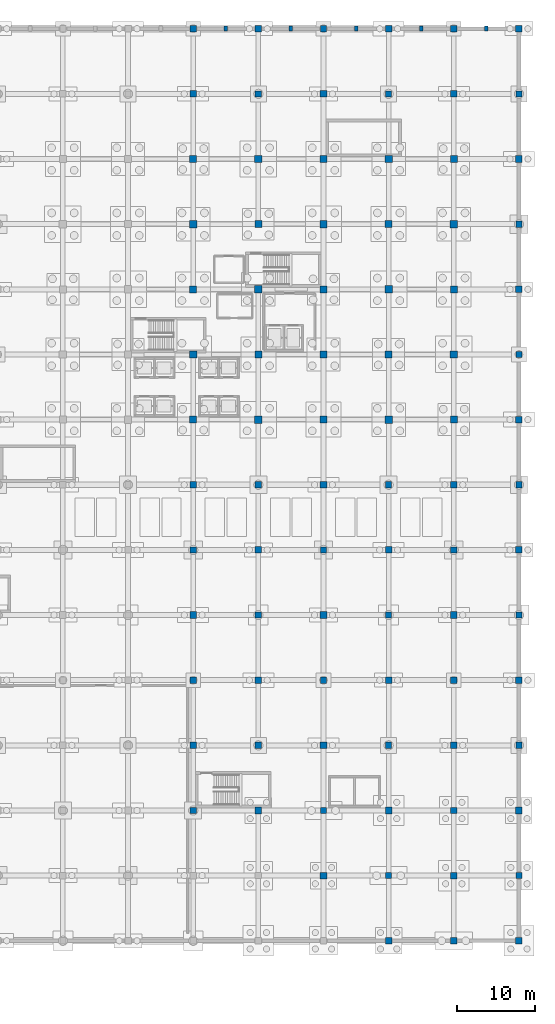
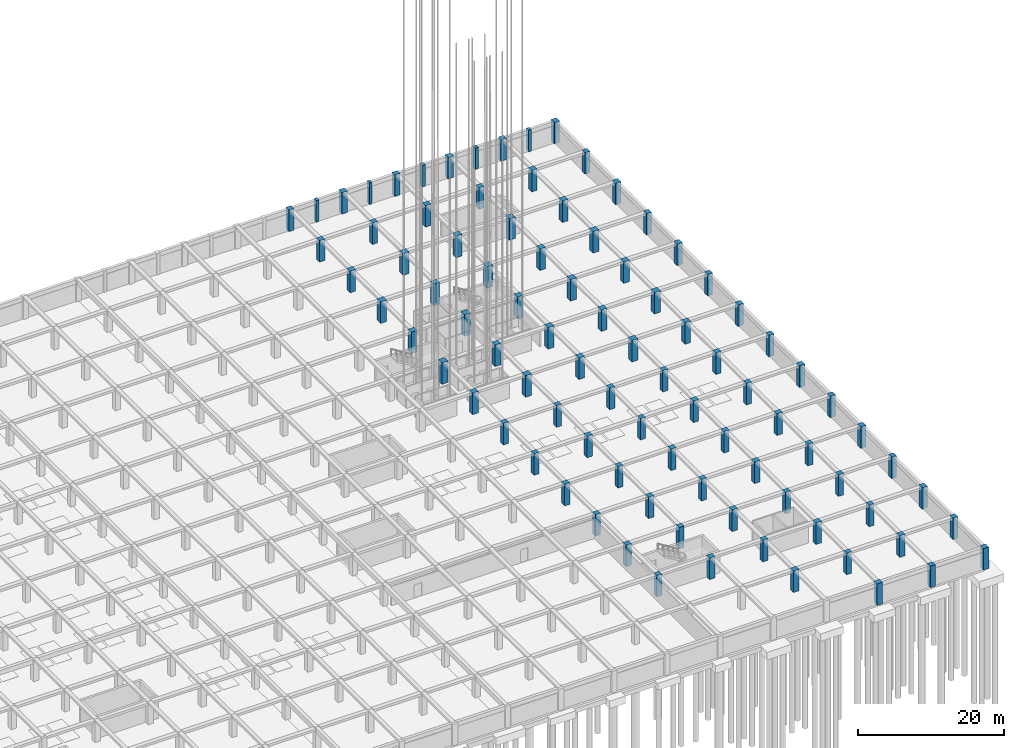
# One storey, part 10 of 47: 90 columns.
"""IFC4 building model written with IfcOpenShell, lengths in metres."""

from ifc_helpers import new_model, si_unit, direction, frame, origin, origin_2d, place, context, subcontext, project, spatial, rectangle, extrude, material, material_profile, profile_set, type_object, element, save


model = new_model("IFC4")

# Units and contexts
model_context = context("Model", 3, precision=1e-05, world=origin(), true_north=direction((0.0, 1.0)))
body_context = subcontext(model_context, "Body", "Model", "MODEL_VIEW")
ifc_project = project(units=[si_unit("LENGTHUNIT", "METRE"), si_unit("AREAUNIT", "SQUARE_METRE"), si_unit("VOLUMEUNIT", "CUBIC_METRE"), si_unit("PLANEANGLEUNIT", "RADIAN"), si_unit("MASSUNIT", "GRAM", prefix="KILO")], contexts=[model_context])

# Site, building, storey
site_placement = place(None, origin())
site = spatial("IfcSite", under=ifc_project, at=site_placement, CompositionType="ELEMENT")
building_placement = place(site_placement, origin())
building = spatial("IfcBuilding", under=site, at=building_placement, Name="Almacenes y Pasaje Nevantli", CompositionType="ELEMENT")
storey_placement = place(building_placement, frame((0.0, 0.0, -8.10009765625)))
storey = spatial("IfcBuildingStorey", under=building, at=storey_placement, Name="B02", CompositionType="ELEMENT", Elevation=-8.10009765625)

# Columns
ifc_material_1 = material(Name="Concrete C45/55", Category="concrete")
ifc_material_profile_1 = material_profile(ifc_material_1, rectangle(XDim=0.800048828125, YDim=0.800048828125, at=origin_2d()), Name="RC-COL-800x800")
ifc_profile_set_1 = profile_set([ifc_material_profile_1], Name="Concrete C45/55")
column_type_1 = type_object("IfcColumnType", Name="COL-RC-800", PredefinedType="COLUMN", material=ifc_profile_set_1)
for number, where, z_axis, x_axis, name in (
    (1, (126.0, 16.800048828125, 0.0), (0.0, 0.0, 1.0), (1.0, 0.0, 0.0), "B02 Reinforced Concrete Column CL-04 #220"),
    (2, (126.0, 33.60009765625, 0.0), (0.0, 0.0, 1.0), (1.0, 0.0, 0.0), "B02 Reinforced Concrete Column CL-04 #222"),
    (3, (126.0, 50.39990234375, 0.0), (0.0, 0.0, 1.0), (1.0, 0.0, 0.0), "B02 Reinforced Concrete Column CL-04 #224"),
    (4, (126.0, 117.60009765625, 0.0), (0.0, 0.0, 1.0), (1.0, 0.0, 0.0), "B02 Reinforced Concrete Column CL-04 #232"),
    (5, (134.39990234375, 25.199951171875, 0.0), (0.0, 0.0, 1.0), (1.0, 0.0, 0.0), "B02 Reinforced Concrete Column CL-04 #236"),
    (6, (134.39990234375, 42.0, 0.0), (0.0, 0.0, 1.0), (1.0, 0.0, 0.0), "B02 Reinforced Concrete Column CL-04 #238"),
    (7, (134.39990234375, 58.800048828125, 0.0), (0.0, 0.0, 1.0), (1.0, 0.0, 0.0), "B02 Reinforced Concrete Column CL-04 #240"),
    (8, (134.39990234375, 109.199951171875, 0.0), (0.0, 0.0, 1.0), (1.0, 0.0, 0.0), "B02 Reinforced Concrete Column CL-04 #246"),
    (9, (142.800048828125, 16.800048828125, 0.0), (0.0, 0.0, 1.0), (1.0, 0.0, 0.0), "B02 Reinforced Concrete Column CL-04 #250"),
    (10, (142.800048828125, 33.60009765625, 0.0), (0.0, 0.0, 1.0), (1.0, 0.0, 0.0), "B02 Reinforced Concrete Column CL-04 #252"),
    (11, (142.800048828125, 50.39990234375, 0.0), (0.0, 0.0, 1.0), (1.0, 0.0, 0.0), "B02 Reinforced Concrete Column CL-04 #254"),
    (12, (142.800048828125, 117.60009765625, 0.0), (0.0, 0.0, 1.0), (1.0, 0.0, 0.0), "B02 Reinforced Concrete Column CL-04 #262"),
    (13, (151.199951171875, 8.39990234375, 0.0), (0.0, 0.0, 1.0), (1.0, 0.0, 0.0), "B02 Reinforced Concrete Column CL-04 #264"),
    (14, (151.199951171875, 25.199951171875, 0.0), (0.0, 0.0, 1.0), (1.0, 0.0, 0.0), "B02 Reinforced Concrete Column CL-04 #266"),
    (15, (151.199951171875, 42.0, 0.0), (0.0, 0.0, 1.0), (1.0, 0.0, 0.0), "B02 Reinforced Concrete Column CL-04 #268"),
    (16, (151.199951171875, 58.800048828125, 0.0), (0.0, 0.0, 1.0), (1.0, 0.0, 0.0), "B02 Reinforced Concrete Column CL-04 #270"),
    (17, (151.199951171875, 109.199951171875, 0.0), (0.0, 0.0, 1.0), (1.0, 0.0, 0.0), "B02 Reinforced Concrete Column CL-04 #276"),
    (18, (159.60009765625, 0.0, 0.0), (0.0, 0.0, 1.0), (1.0, 0.0, 0.0), "B02 Reinforced Concrete Column CL-04 #278"),
    (19, (159.60009765625, 16.800048828125, 0.0), (0.0, 0.0, 1.0), (1.0, 0.0, 0.0), "B02 Reinforced Concrete Column CL-04 #280"),
    (20, (159.60009765625, 33.60009765625, 0.0), (0.0, 0.0, 1.0), (1.0, 0.0, 0.0), "B02 Reinforced Concrete Column CL-04 #282"),
    (21, (159.60009765625, 50.39990234375, 0.0), (0.0, 0.0, 1.0), (1.0, 0.0, 0.0), "B02 Reinforced Concrete Column CL-04 #284"),
    (22, (159.60009765625, 117.60009765625, 0.0), (0.0, 0.0, 1.0), (1.0, 0.0, 0.0), "B02 Reinforced Concrete Column CL-04 #292"),
    (23, (168.0, 8.39990234375, 0.0), (0.0, 0.0, 1.0), (1.0, 0.0, 0.0), "B02 Reinforced Concrete Column CL-04 #294"),
    (24, (168.0, 25.199951171875, 0.0), (0.0, 0.0, 1.0), (1.0, 0.0, 0.0), "B02 Reinforced Concrete Column CL-04 #296"),
    (25, (168.0, 42.0, 0.0), (0.0, 0.0, 1.0), (1.0, 0.0, 0.0), "B02 Reinforced Concrete Column CL-04 #298"),
    (26, (168.0, 58.800048828125, 0.0), (0.0, 0.0, 1.0), (1.0, 0.0, 0.0), "B02 Reinforced Concrete Column CL-04 #300"),
    (27, (168.0, 75.60009765625, 0.0), (0.0, 0.0, 1.0), (1.0, 0.0, 0.0), "B02 Reinforced Concrete Column CL-04 #302"),
    (28, (168.0, 92.39990234375, 0.0), (0.0, 0.0, 1.0), (1.0, 0.0, 0.0), "B02 Reinforced Concrete Column CL-04 #304"),
    (29, (168.0, 109.199951171875, 0.0), (0.0, 0.0, 1.0), (1.0, 0.0, 0.0), "B02 Reinforced Concrete Column CL-04 #306"),
):
    element("IfcColumn", number, at=place(storey_placement, frame(where, z_axis=z_axis, x_axis=x_axis)), inside=storey, type_object=column_type_1, Name=name, PredefinedType="COLUMN", context=body_context, shape_type="SweptSolid", body=[
        extrude(rectangle(XDim=0.800048828125, YDim=0.800048828125, at=origin_2d()), origin(), (0.0, 0.0, 1.0), 3.60009765625),
    ])
ifc_material_2 = material(Name="Concrete C45/55", Category="concrete")
ifc_material_profile_2 = material_profile(ifc_material_2, rectangle(XDim=0.85009765625, YDim=0.85009765625, at=origin_2d()), Name="RC-COL-850x850")
ifc_profile_set_2 = profile_set([ifc_material_profile_2], Name="Concrete C45/55")
column_type_2 = type_object("IfcColumnType", Name="COL-RC-850", PredefinedType="COLUMN", material=ifc_profile_set_2)
for number, where, z_axis, x_axis, name in (
    (30, (126.0, 25.199951171875, 0.0), (0.0, 0.0, 1.0), (1.0, 0.0, 0.0), "B02 Reinforced Concrete Column CL-03 #221"),
    (31, (126.0, 42.0, 0.0), (0.0, 0.0, 1.0), (1.0, 0.0, 0.0), "B02 Reinforced Concrete Column CL-03 #223"),
    (32, (126.0, 58.800048828125, 0.0), (0.0, 0.0, 1.0), (1.0, 0.0, 0.0), "B02 Reinforced Concrete Column CL-03 #225"),
    (33, (126.0, 109.199951171875, 0.0), (0.0, 0.0, 1.0), (1.0, 0.0, 0.0), "B02 Reinforced Concrete Column CL-03 #231"),
    (34, (134.39990234375, 16.800048828125, 0.0), (0.0, 0.0, 1.0), (1.0, 0.0, 0.0), "B02 Reinforced Concrete Column CL-03 #235"),
    (35, (134.39990234375, 33.60009765625, 0.0), (0.0, 0.0, 1.0), (1.0, 0.0, 0.0), "B02 Reinforced Concrete Column CL-03 #237"),
    (36, (134.39990234375, 50.39990234375, 0.0), (0.0, 0.0, 1.0), (1.0, 0.0, 0.0), "B02 Reinforced Concrete Column CL-03 #239"),
    (37, (134.39990234375, 117.60009765625, 0.0), (0.0, 0.0, 1.0), (1.0, 0.0, 0.0), "B02 Reinforced Concrete Column CL-03 #247"),
    (38, (142.800048828125, 8.39990234375, 0.0), (0.0, 0.0, 1.0), (1.0, 0.0, 0.0), "B02 Reinforced Concrete Column CL-03 #249"),
    (39, (142.800048828125, 25.199951171875, 0.0), (0.0, 0.0, 1.0), (1.0, 0.0, 0.0), "B02 Reinforced Concrete Column CL-03 #251"),
    (40, (142.800048828125, 42.0, 0.0), (0.0, 0.0, 1.0), (1.0, 0.0, 0.0), "B02 Reinforced Concrete Column CL-03 #253"),
    (41, (142.800048828125, 58.800048828125, 0.0), (0.0, 0.0, 1.0), (1.0, 0.0, 0.0), "B02 Reinforced Concrete Column CL-03 #255"),
    (42, (142.800048828125, 109.199951171875, 0.0), (0.0, 0.0, 1.0), (1.0, 0.0, 0.0), "B02 Reinforced Concrete Column CL-03 #261"),
    (43, (151.199951171875, 0.0, 0.0), (0.0, 0.0, 1.0), (1.0, 0.0, 0.0), "B02 Reinforced Concrete Column CL-03 #263"),
    (44, (151.199951171875, 16.800048828125, 0.0), (0.0, 0.0, 1.0), (1.0, 0.0, 0.0), "B02 Reinforced Concrete Column CL-03 #265"),
    (45, (151.199951171875, 33.60009765625, 0.0), (0.0, 0.0, 1.0), (1.0, 0.0, 0.0), "B02 Reinforced Concrete Column CL-03 #267"),
    (46, (151.199951171875, 50.39990234375, 0.0), (0.0, 0.0, 1.0), (1.0, 0.0, 0.0), "B02 Reinforced Concrete Column CL-03 #269"),
    (47, (151.199951171875, 117.60009765625, 0.0), (0.0, 0.0, 1.0), (1.0, 0.0, 0.0), "B02 Reinforced Concrete Column CL-03 #277"),
    (48, (159.60009765625, 8.39990234375, 0.0), (0.0, 0.0, 1.0), (1.0, 0.0, 0.0), "B02 Reinforced Concrete Column CL-03 #279"),
    (49, (159.60009765625, 25.199951171875, 0.0), (0.0, 0.0, 1.0), (1.0, 0.0, 0.0), "B02 Reinforced Concrete Column CL-03 #281"),
    (50, (159.60009765625, 42.0, 0.0), (0.0, 0.0, 1.0), (1.0, 0.0, 0.0), "B02 Reinforced Concrete Column CL-03 #283"),
    (51, (159.60009765625, 58.800048828125, 0.0), (0.0, 0.0, 1.0), (1.0, 0.0, 0.0), "B02 Reinforced Concrete Column CL-03 #285"),
    (52, (159.60009765625, 109.199951171875, 0.0), (0.0, 0.0, 1.0), (1.0, 0.0, 0.0), "B02 Reinforced Concrete Column CL-03 #291"),
    (53, (168.0, 0.0, 0.0), (0.0, 0.0, 1.0), (1.0, 0.0, 0.0), "B02 Reinforced Concrete Column CL-03 #293"),
    (54, (168.0, 16.800048828125, 0.0), (0.0, 0.0, 1.0), (1.0, 0.0, 0.0), "B02 Reinforced Concrete Column CL-03 #295"),
    (55, (168.0, 33.60009765625, 0.0), (0.0, 0.0, 1.0), (1.0, 0.0, 0.0), "B02 Reinforced Concrete Column CL-03 #297"),
    (56, (168.0, 50.39990234375, 0.0), (0.0, 0.0, 1.0), (1.0, 0.0, 0.0), "B02 Reinforced Concrete Column CL-03 #299"),
    (57, (168.0, 67.199951171875, 0.0), (0.0, 0.0, 1.0), (1.0, 0.0, 0.0), "B02 Reinforced Concrete Column CL-03 #301"),
    (58, (168.0, 84.0, 0.0), (0.0, 0.0, 1.0), (1.0, 0.0, 0.0), "B02 Reinforced Concrete Column CL-03 #303"),
    (59, (168.0, 100.800048828125, 0.0), (0.0, 0.0, 1.0), (1.0, 0.0, 0.0), "B02 Reinforced Concrete Column CL-03 #305"),
    (60, (168.0, 117.60009765625, 0.0), (0.0, 0.0, 1.0), (1.0, 0.0, 0.0), "B02 Reinforced Concrete Column CL-03 #307"),
):
    element("IfcColumn", number, at=place(storey_placement, frame(where, z_axis=z_axis, x_axis=x_axis)), inside=storey, type_object=column_type_2, Name=name, PredefinedType="COLUMN", context=body_context, shape_type="SweptSolid", body=[
        extrude(rectangle(XDim=0.85009765625, YDim=0.85009765625, at=origin_2d()), origin(), (0.0, 0.0, 1.0), 3.60009765625),
    ])
ifc_material_3 = material(Name="Concrete C45/55", Category="concrete")
ifc_material_profile_3 = material_profile(ifc_material_3, rectangle(XDim=0.89990234375, YDim=0.89990234375, at=origin_2d()), Name="RC-COL-900x900")
ifc_profile_set_3 = profile_set([ifc_material_profile_3], Name="Concrete C45/55")
column_type_3 = type_object("IfcColumnType", Name="COL-RC-900", PredefinedType="COLUMN", material=ifc_profile_set_3)
for number, where, z_axis, x_axis, name in (
    (61, (126.0, 67.199951171875, 0.0), (0.0, 0.0, 1.0), (1.0, 0.0, 0.0), "B02 Reinforced Concrete Column CL-02 #226"),
    (62, (126.0, 84.0, 0.0), (0.0, 0.0, 1.0), (1.0, 0.0, 0.0), "B02 Reinforced Concrete Column CL-02 #228"),
    (63, (126.0, 100.800048828125, 0.0), (0.0, 0.0, 1.0), (1.0, 0.0, 0.0), "B02 Reinforced Concrete Column CL-02 #230"),
    (64, (134.39990234375, 75.60009765625, 0.0), (0.0, 0.0, 1.0), (1.0, 0.0, 0.0), "B02 Reinforced Concrete Column CL-02 #242"),
    (65, (134.39990234375, 92.39990234375, 0.0), (0.0, 0.0, 1.0), (1.0, 0.0, 0.0), "B02 Reinforced Concrete Column CL-02 #244"),
    (66, (142.800048828125, 67.199951171875, 0.0), (0.0, 0.0, 1.0), (1.0, 0.0, 0.0), "B02 Reinforced Concrete Column CL-02 #256"),
    (67, (142.800048828125, 84.0, 0.0), (0.0, 0.0, 1.0), (1.0, 0.0, 0.0), "B02 Reinforced Concrete Column CL-02 #258"),
    (68, (142.800048828125, 100.800048828125, 0.0), (0.0, 0.0, 1.0), (1.0, 0.0, 0.0), "B02 Reinforced Concrete Column CL-02 #260"),
    (69, (151.199951171875, 75.60009765625, 0.0), (0.0, 0.0, 1.0), (1.0, 0.0, 0.0), "B02 Reinforced Concrete Column CL-02 #272"),
    (70, (151.199951171875, 92.39990234375, 0.0), (0.0, 0.0, 1.0), (1.0, 0.0, 0.0), "B02 Reinforced Concrete Column CL-02 #274"),
    (71, (159.60009765625, 67.199951171875, 0.0), (0.0, 0.0, 1.0), (1.0, 0.0, 0.0), "B02 Reinforced Concrete Column CL-02 #286"),
    (72, (159.60009765625, 84.0, 0.0), (0.0, 0.0, 1.0), (1.0, 0.0, 0.0), "B02 Reinforced Concrete Column CL-02 #288"),
    (73, (159.60009765625, 100.800048828125, 0.0), (0.0, 0.0, 1.0), (1.0, 0.0, 0.0), "B02 Reinforced Concrete Column CL-02 #290"),
):
    element("IfcColumn", number, at=place(storey_placement, frame(where, z_axis=z_axis, x_axis=x_axis)), inside=storey, type_object=column_type_3, Name=name, PredefinedType="COLUMN", context=body_context, shape_type="SweptSolid", body=[
        extrude(rectangle(XDim=0.89990234375, YDim=0.89990234375, at=origin_2d()), origin(), (0.0, 0.0, 1.0), 3.60009765625),
    ])
ifc_material_4 = material(Name="Concrete C45/55", Category="concrete")
ifc_material_profile_4 = material_profile(ifc_material_4, rectangle(XDim=0.949951171875, YDim=0.949951171875, at=origin_2d()), Name="RC-COL-950x950")
ifc_profile_set_4 = profile_set([ifc_material_profile_4], Name="Concrete C45/55")
column_type_4 = type_object("IfcColumnType", Name="COL-RC-950", PredefinedType="COLUMN", material=ifc_profile_set_4)
for number, where, z_axis, x_axis, name in (
    (74, (126.0, 75.60009765625, 0.0), (0.0, 0.0, 1.0), (1.0, 0.0, 0.0), "B02 Reinforced Concrete Column CL-01 #227"),
    (75, (126.0, 92.39990234375, 0.0), (0.0, 0.0, 1.0), (1.0, 0.0, 0.0), "B02 Reinforced Concrete Column CL-01 #229"),
    (76, (134.39990234375, 67.199951171875, 0.0), (0.0, 0.0, 1.0), (1.0, 0.0, 0.0), "B02 Reinforced Concrete Column CL-01 #241"),
    (77, (134.39990234375, 84.0, 0.0), (0.0, 0.0, 1.0), (1.0, 0.0, 0.0), "B02 Reinforced Concrete Column CL-01 #243"),
    (78, (134.39990234375, 100.800048828125, 0.0), (0.0, 0.0, 1.0), (1.0, 0.0, 0.0), "B02 Reinforced Concrete Column CL-01 #245"),
    (79, (142.800048828125, 75.60009765625, 0.0), (0.0, 0.0, 1.0), (1.0, 0.0, 0.0), "B02 Reinforced Concrete Column CL-01 #257"),
    (80, (142.800048828125, 92.39990234375, 0.0), (0.0, 0.0, 1.0), (1.0, 0.0, 0.0), "B02 Reinforced Concrete Column CL-01 #259"),
    (81, (151.199951171875, 67.199951171875, 0.0), (0.0, 0.0, 1.0), (1.0, 0.0, 0.0), "B02 Reinforced Concrete Column CL-01 #271"),
    (82, (151.199951171875, 84.0, 0.0), (0.0, 0.0, 1.0), (1.0, 0.0, 0.0), "B02 Reinforced Concrete Column CL-01 #273"),
    (83, (151.199951171875, 100.800048828125, 0.0), (0.0, 0.0, 1.0), (1.0, 0.0, 0.0), "B02 Reinforced Concrete Column CL-01 #275"),
    (84, (159.60009765625, 75.60009765625, 0.0), (0.0, 0.0, 1.0), (1.0, 0.0, 0.0), "B02 Reinforced Concrete Column CL-01 #287"),
    (85, (159.60009765625, 92.39990234375, 0.0), (0.0, 0.0, 1.0), (1.0, 0.0, 0.0), "B02 Reinforced Concrete Column CL-01 #289"),
):
    element("IfcColumn", number, at=place(storey_placement, frame(where, z_axis=z_axis, x_axis=x_axis)), inside=storey, type_object=column_type_4, Name=name, PredefinedType="COLUMN", context=body_context, shape_type="SweptSolid", body=[
        extrude(rectangle(XDim=0.949951171875, YDim=0.949951171875, at=origin_2d()), origin(), (0.0, 0.0, 1.0), 3.60009765625),
    ])
ifc_material_5 = material(Name="Concrete C45/55", Category="concrete")
ifc_material_profile_5 = material_profile(ifc_material_5, rectangle(XDim=0.449951171875, YDim=0.64990234375, at=origin_2d()), Name="RC-PIL-450x650")
ifc_profile_set_5 = profile_set([ifc_material_profile_5], Name="Concrete C45/55")
column_type_5 = type_object("IfcColumnType", Name="PIL-RC-450x650", PredefinedType="PILASTER", material=ifc_profile_set_5)
for number, where, z_axis, x_axis, name in (
    (86, (130.199951171875, 117.60009765625, 0.0), (0.0, 0.0, 1.0), (1.0, 0.0, 0.0), "B02 North Boulevard Portales Pilaster #16"),
    (87, (138.60009765625, 117.60009765625, 0.0), (0.0, 0.0, 1.0), (1.0, 0.0, 0.0), "B02 North Boulevard Portales Pilaster #17"),
    (88, (147.0, 117.60009765625, 0.0), (0.0, 0.0, 1.0), (1.0, 0.0, 0.0), "B02 North Boulevard Portales Pilaster #18"),
    (89, (155.39990234375, 117.60009765625, 0.0), (0.0, 0.0, 1.0), (1.0, 0.0, 0.0), "B02 North Boulevard Portales Pilaster #19"),
    (90, (163.800048828125, 117.60009765625, 0.0), (0.0, 0.0, 1.0), (1.0, 0.0, 0.0), "B02 North Boulevard Portales Pilaster #20"),
):
    element("IfcColumn", number, at=place(storey_placement, frame(where, z_axis=z_axis, x_axis=x_axis)), inside=storey, type_object=column_type_5, Name=name, PredefinedType="PILASTER", context=body_context, shape_type="SweptSolid", body=[
        extrude(rectangle(XDim=0.449951171875, YDim=0.64990234375, at=origin_2d()), origin(), (0.0, 0.0, 1.0), 3.60009765625),
    ])

save(model, "model.ifc")
